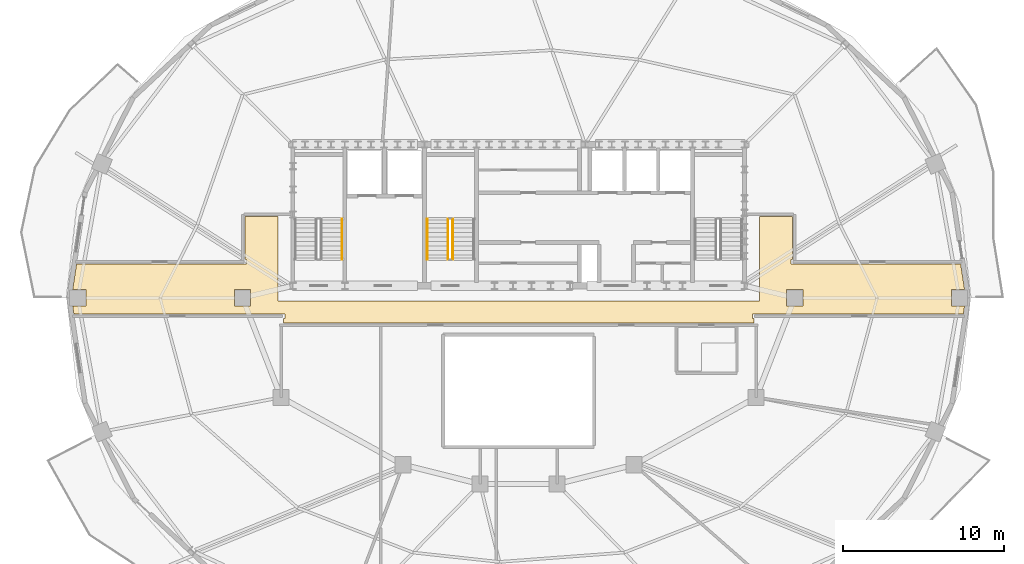
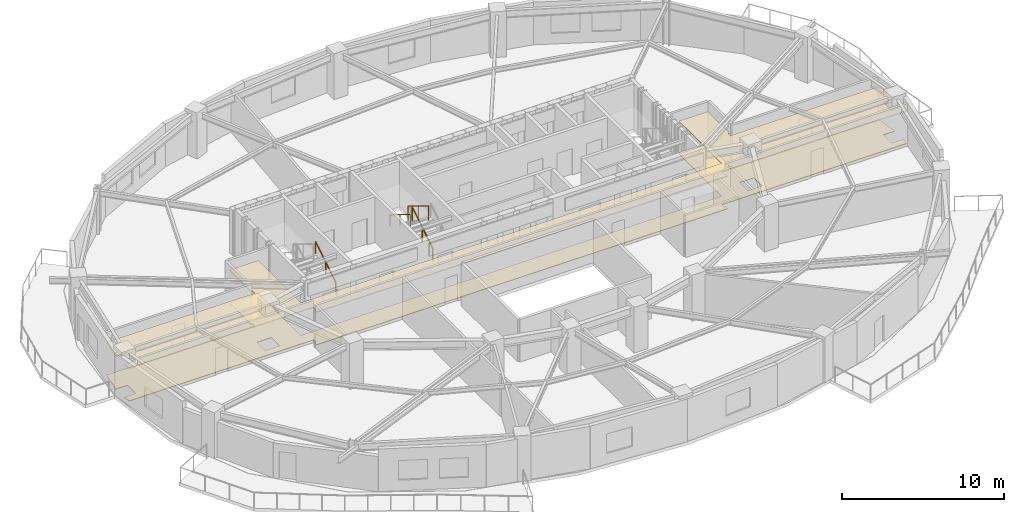
# One storey, part 9 of 11: 4 railings, 2 coverings.
"""IFC4 building model written with IfcOpenShell, lengths in metres."""

from ifc_helpers import new_model, si_unit, direction, frame, origin, origin_2d, place, context, subcontext, project, spatial, polyline, rectangle, outline, extrude, material, layer, layer_set, type_object, element, save


model = new_model("IFC4")

# Units and contexts
model_context = context("Model", 3, precision=1e-05, world=origin(), true_north=direction((0.0, 1.0)))
body_context = subcontext(model_context, "Body", "Model", "MODEL_VIEW")
ifc_project = project(units=[si_unit("LENGTHUNIT", "METRE"), si_unit("AREAUNIT", "SQUARE_METRE"), si_unit("VOLUMEUNIT", "CUBIC_METRE"), si_unit("PLANEANGLEUNIT", "RADIAN"), si_unit("MASSUNIT", "GRAM", prefix="KILO")], contexts=[model_context])

# Site, building, storey
site_placement = place(None, origin())
site = spatial("IfcSite", under=ifc_project, at=site_placement, CompositionType="ELEMENT")
building_placement = place(site_placement, origin())
building = spatial("IfcBuilding", under=site, at=building_placement, Name="Haldorwick Loom Tower", CompositionType="ELEMENT")
storey_placement = place(building_placement, frame((0.0, 0.0, 234.0)))
storey = spatial("IfcBuildingStorey", under=building, at=storey_placement, Name="L63", CompositionType="ELEMENT", Elevation=234.0)

# Coverings
ifc_material_1 = material(Name="Mineral Fibre Acoustic Ceiling Tile")
ifc_layer_1 = layer(ifc_material_1, 0.054931640625, Name="Mineral Fibre Acoustic Ceiling Tile")
ifc_layer_set_1 = layer_set([ifc_layer_1], Name="Mineral Fibre Acoustic Ceiling Tile")
covering_type_1 = type_object("IfcCoveringType", Name="ARC-COV-CEIL2", PredefinedType="CEILING", material=ifc_layer_set_1)
covering_1_placement = place(storey_placement, frame((0.0, 0.0, 2.458984375)))
element("IfcCovering", 1, at=covering_1_placement, inside=storey, type_object=covering_type_1, Name="L63 Acoustic Suspended Ceiling 1", PredefinedType="CEILING", context=body_context, shape_type="SweptSolid", body=[
    extrude(outline(polyline([(8.2939453125, 24.989990234375), (21.419921875, 24.989990234375), (21.422119140625, 24.989990234375), (21.423828125, 24.989501953125), (21.42578125, 24.989013671875), (21.427734375, 24.988525390625), (21.429443359375, 24.987548828125), (21.43115234375, 24.986572265625), (21.4326171875, 24.985595703125), (21.43408203125, 24.984130859375), (21.435546875, 24.982666015625), (21.4365234375, 24.981201171875), (21.4375, 24.9794921875), (21.4384765625, 24.977783203125), (21.439208984375, 24.975830078125), (21.439697265625, 24.973876953125), (21.43994140625, 24.971923828125), (21.43994140625, 24.969970703125), (21.43994140625, 24.72998046875), (21.43994140625, 24.72802734375), (21.439697265625, 24.72607421875), (21.439208984375, 24.72412109375), (21.4384765625, 24.722412109375), (21.4375, 24.720703125), (21.4365234375, 24.718994140625), (21.435546875, 24.71728515625), (21.43408203125, 24.7158203125), (21.4326171875, 24.714599609375), (21.43115234375, 24.71337890625), (21.429443359375, 24.71240234375), (21.427734375, 24.71142578125), (21.42578125, 24.7109375), (21.423828125, 24.71044921875), (21.422119140625, 24.710205078125), (21.419921875, 24.7099609375), (21.340087890625, 24.7099609375), (21.340087890625, 24.43994140625), (50.659912109375, 24.43994140625), (50.659912109375, 24.7099609375), (50.580078125, 24.7099609375), (50.577880859375, 24.710205078125), (50.576171875, 24.71044921875), (50.57421875, 24.7109375), (50.572265625, 24.71142578125), (50.570556640625, 24.71240234375), (50.56884765625, 24.71337890625), (50.5673828125, 24.714599609375), (50.56591796875, 24.7158203125), (50.564453125, 24.71728515625), (50.5634765625, 24.718994140625), (50.5625, 24.720703125), (50.5615234375, 24.722412109375), (50.560791015625, 24.72412109375), (50.560302734375, 24.72607421875), (50.56005859375, 24.72802734375), (50.56005859375, 24.72998046875), (50.56005859375, 24.969970703125), (50.56005859375, 24.971923828125), (50.560302734375, 24.973876953125), (50.560791015625, 24.975830078125), (50.5615234375, 24.977783203125), (50.5625, 24.9794921875), (50.5634765625, 24.981201171875), (50.564453125, 24.982666015625), (50.56591796875, 24.984130859375), (50.5673828125, 24.985595703125), (50.56884765625, 24.986572265625), (50.570556640625, 24.987548828125), (50.572265625, 24.988525390625), (50.57421875, 24.989013671875), (50.576171875, 24.989501953125), (50.577880859375, 24.989990234375), (50.580078125, 24.989990234375), (63.7060546875, 24.989990234375), (63.782470703125, 25.491943359375), (62.95849609375, 25.491943359375), (62.95849609375, 26.508056640625), (63.782470703125, 26.508056640625), (63.53857421875, 28.110107421875), (52.97998046875, 28.110107421875), (52.97802734375, 28.110107421875), (52.97607421875, 28.1103515625), (52.97412109375, 28.11083984375), (52.972412109375, 28.111572265625), (52.970703125, 28.1123046875), (52.968994140625, 28.11328125), (52.96728515625, 28.114501953125), (52.9658203125, 28.115966796875), (52.964599609375, 28.1171875), (52.96337890625, 28.118896484375), (52.96240234375, 28.12060546875), (52.96142578125, 28.122314453125), (52.9609375, 28.124267578125), (52.96044921875, 28.126220703125), (52.960205078125, 28.1279296875), (52.9599609375, 28.1298828125), (52.9599609375, 28.3701171875), (52.960205078125, 28.3720703125), (52.96044921875, 28.373779296875), (52.9609375, 28.375732421875), (52.96142578125, 28.377685546875), (52.96240234375, 28.37939453125), (52.96337890625, 28.381103515625), (52.964599609375, 28.3828125), (52.9658203125, 28.384033203125), (52.96728515625, 28.385498046875), (52.968994140625, 28.38671875), (52.970703125, 28.3876953125), (52.972412109375, 28.388427734375), (52.97412109375, 28.38916015625), (52.97607421875, 28.3896484375), (52.97802734375, 28.389892578125), (52.97998046875, 28.389892578125), (53.06005859375, 28.389892578125), (53.06005859375, 31.06005859375), (51.0, 31.06005859375), (51.0, 25.800048828125), (21.0, 25.800048828125), (21.0, 31.06005859375), (18.93994140625, 31.06005859375), (18.93994140625, 28.389892578125), (19.02001953125, 28.389892578125), (19.02197265625, 28.389892578125), (19.02392578125, 28.3896484375), (19.02587890625, 28.38916015625), (19.027587890625, 28.388427734375), (19.029296875, 28.3876953125), (19.031005859375, 28.38671875), (19.03271484375, 28.385498046875), (19.0341796875, 28.384033203125), (19.035400390625, 28.3828125), (19.03662109375, 28.381103515625), (19.03759765625, 28.37939453125), (19.03857421875, 28.377685546875), (19.0390625, 28.375732421875), (19.03955078125, 28.373779296875), (19.039794921875, 28.3720703125), (19.0400390625, 28.3701171875), (19.0400390625, 28.1298828125), (19.039794921875, 28.1279296875), (19.03955078125, 28.126220703125), (19.0390625, 28.124267578125), (19.03857421875, 28.122314453125), (19.03759765625, 28.12060546875), (19.03662109375, 28.118896484375), (19.035400390625, 28.1171875), (19.0341796875, 28.115966796875), (19.03271484375, 28.114501953125), (19.031005859375, 28.11328125), (19.029296875, 28.1123046875), (19.027587890625, 28.111572265625), (19.02587890625, 28.11083984375), (19.02392578125, 28.1103515625), (19.02197265625, 28.110107421875), (19.02001953125, 28.110107421875), (8.46142578125, 28.110107421875), (8.217529296875, 26.508056640625), (9.04150390625, 26.508056640625), (9.04150390625, 25.491943359375), (8.217529296875, 25.491943359375), (8.2939453125, 24.989990234375)]), holes=[polyline([(19.30810546875, 26.508056640625), (19.30810546875, 25.491943359375), (18.2919921875, 25.491943359375), (18.2919921875, 26.508056640625), (19.30810546875, 26.508056640625)]), polyline([(53.7080078125, 26.508056640625), (53.7080078125, 25.491943359375), (52.69189453125, 25.491943359375), (52.69189453125, 26.508056640625), (53.7080078125, 26.508056640625)])]), origin(), (0.0, 0.0, 1.0), 0.054931640625),
])
ifc_material_2 = material(Name="Polished Aggregate Terrazzo Finish")
ifc_layer_2 = layer(ifc_material_2, 0.044921875, Name="Polished Aggregate Terrazzo Finish")
ifc_layer_set_2 = layer_set([ifc_layer_2], Name="Polished Aggregate Terrazzo Finish")
covering_type_2 = type_object("IfcCoveringType", Name="ARC-COV-FLOOR2", PredefinedType="FLOORING", material=ifc_layer_set_2)
covering_2_placement = place(storey_placement, origin())
element("IfcCovering", 2, at=covering_2_placement, inside=storey, type_object=covering_type_2, Name="L63 Floor Finish 1", PredefinedType="FLOORING", context=body_context, shape_type="SweptSolid", body=[
    extrude(outline(polyline([(8.2939453125, 24.989990234375), (21.419921875, 24.989990234375), (21.422119140625, 24.989990234375), (21.423828125, 24.989501953125), (21.42578125, 24.989013671875), (21.427734375, 24.988525390625), (21.429443359375, 24.987548828125), (21.43115234375, 24.986572265625), (21.4326171875, 24.985595703125), (21.43408203125, 24.984130859375), (21.435546875, 24.982666015625), (21.4365234375, 24.981201171875), (21.4375, 24.9794921875), (21.4384765625, 24.977783203125), (21.439208984375, 24.975830078125), (21.439697265625, 24.973876953125), (21.43994140625, 24.971923828125), (21.43994140625, 24.969970703125), (21.43994140625, 24.72998046875), (21.43994140625, 24.72802734375), (21.439697265625, 24.72607421875), (21.439208984375, 24.72412109375), (21.4384765625, 24.722412109375), (21.4375, 24.720703125), (21.4365234375, 24.718994140625), (21.435546875, 24.71728515625), (21.43408203125, 24.7158203125), (21.4326171875, 24.714599609375), (21.43115234375, 24.71337890625), (21.429443359375, 24.71240234375), (21.427734375, 24.71142578125), (21.42578125, 24.7109375), (21.423828125, 24.71044921875), (21.422119140625, 24.710205078125), (21.419921875, 24.7099609375), (21.340087890625, 24.7099609375), (21.340087890625, 24.43994140625), (50.659912109375, 24.43994140625), (50.659912109375, 24.7099609375), (50.580078125, 24.7099609375), (50.577880859375, 24.710205078125), (50.576171875, 24.71044921875), (50.57421875, 24.7109375), (50.572265625, 24.71142578125), (50.570556640625, 24.71240234375), (50.56884765625, 24.71337890625), (50.5673828125, 24.714599609375), (50.56591796875, 24.7158203125), (50.564453125, 24.71728515625), (50.5634765625, 24.718994140625), (50.5625, 24.720703125), (50.5615234375, 24.722412109375), (50.560791015625, 24.72412109375), (50.560302734375, 24.72607421875), (50.56005859375, 24.72802734375), (50.56005859375, 24.72998046875), (50.56005859375, 24.969970703125), (50.56005859375, 24.971923828125), (50.560302734375, 24.973876953125), (50.560791015625, 24.975830078125), (50.5615234375, 24.977783203125), (50.5625, 24.9794921875), (50.5634765625, 24.981201171875), (50.564453125, 24.982666015625), (50.56591796875, 24.984130859375), (50.5673828125, 24.985595703125), (50.56884765625, 24.986572265625), (50.570556640625, 24.987548828125), (50.572265625, 24.988525390625), (50.57421875, 24.989013671875), (50.576171875, 24.989501953125), (50.577880859375, 24.989990234375), (50.580078125, 24.989990234375), (63.7060546875, 24.989990234375), (63.782470703125, 25.491943359375), (62.95849609375, 25.491943359375), (62.95849609375, 26.508056640625), (63.782470703125, 26.508056640625), (63.53857421875, 28.110107421875), (52.97998046875, 28.110107421875), (52.97802734375, 28.110107421875), (52.97607421875, 28.1103515625), (52.97412109375, 28.11083984375), (52.972412109375, 28.111572265625), (52.970703125, 28.1123046875), (52.968994140625, 28.11328125), (52.96728515625, 28.114501953125), (52.9658203125, 28.115966796875), (52.964599609375, 28.1171875), (52.96337890625, 28.118896484375), (52.96240234375, 28.12060546875), (52.96142578125, 28.122314453125), (52.9609375, 28.124267578125), (52.96044921875, 28.126220703125), (52.960205078125, 28.1279296875), (52.9599609375, 28.1298828125), (52.9599609375, 28.3701171875), (52.960205078125, 28.3720703125), (52.96044921875, 28.373779296875), (52.9609375, 28.375732421875), (52.96142578125, 28.377685546875), (52.96240234375, 28.37939453125), (52.96337890625, 28.381103515625), (52.964599609375, 28.3828125), (52.9658203125, 28.384033203125), (52.96728515625, 28.385498046875), (52.968994140625, 28.38671875), (52.970703125, 28.3876953125), (52.972412109375, 28.388427734375), (52.97412109375, 28.38916015625), (52.97607421875, 28.3896484375), (52.97802734375, 28.389892578125), (52.97998046875, 28.389892578125), (53.06005859375, 28.389892578125), (53.06005859375, 31.06005859375), (51.0, 31.06005859375), (51.0, 25.800048828125), (21.0, 25.800048828125), (21.0, 31.06005859375), (18.93994140625, 31.06005859375), (18.93994140625, 28.389892578125), (19.02001953125, 28.389892578125), (19.02197265625, 28.389892578125), (19.02392578125, 28.3896484375), (19.02587890625, 28.38916015625), (19.027587890625, 28.388427734375), (19.029296875, 28.3876953125), (19.031005859375, 28.38671875), (19.03271484375, 28.385498046875), (19.0341796875, 28.384033203125), (19.035400390625, 28.3828125), (19.03662109375, 28.381103515625), (19.03759765625, 28.37939453125), (19.03857421875, 28.377685546875), (19.0390625, 28.375732421875), (19.03955078125, 28.373779296875), (19.039794921875, 28.3720703125), (19.0400390625, 28.3701171875), (19.0400390625, 28.1298828125), (19.039794921875, 28.1279296875), (19.03955078125, 28.126220703125), (19.0390625, 28.124267578125), (19.03857421875, 28.122314453125), (19.03759765625, 28.12060546875), (19.03662109375, 28.118896484375), (19.035400390625, 28.1171875), (19.0341796875, 28.115966796875), (19.03271484375, 28.114501953125), (19.031005859375, 28.11328125), (19.029296875, 28.1123046875), (19.027587890625, 28.111572265625), (19.02587890625, 28.11083984375), (19.02392578125, 28.1103515625), (19.02197265625, 28.110107421875), (19.02001953125, 28.110107421875), (8.46142578125, 28.110107421875), (8.217529296875, 26.508056640625), (9.04150390625, 26.508056640625), (9.04150390625, 25.491943359375), (8.217529296875, 25.491943359375), (8.2939453125, 24.989990234375)]), holes=[polyline([(19.30810546875, 26.508056640625), (19.30810546875, 25.491943359375), (18.2919921875, 25.491943359375), (18.2919921875, 26.508056640625), (19.30810546875, 26.508056640625)]), polyline([(53.7080078125, 26.508056640625), (53.7080078125, 25.491943359375), (52.69189453125, 25.491943359375), (52.69189453125, 26.508056640625), (53.7080078125, 26.508056640625)])]), origin(), (0.0, 0.0, 1.0), 0.044921875),
])

# Railings
ifc_material_3 = material(Name="Steel CSA G40.21 350W", Category="steel")
railing_type_1 = type_object("IfcRailingType", Name="ARC-RLG-GUARD112", PredefinedType="GUARDRAIL", material=ifc_material_3)
railing_1_placement = place(storey_placement, frame((31.89990234375, 28.39990234375, 0.172607421875)))
element("IfcRailing", 3, at=railing_1_placement, inside=storey, type_object=railing_type_1, Name="L63 ST-03 stair guard 1", PredefinedType="GUARDRAIL", context=body_context, shape_type="SweptSolid", body=[
    extrude(rectangle(XDim=0.048095703125, YDim=0.048095703125, at=origin_2d()), frame((0.0, 0.0, 1.076171875), z_axis=(0.0, 0.851400495292, 0.524516154772), x_axis=(-1.0, 0.0, 0.0)), (0.0, 0.0, 1.0), 2.9599609375),
    extrude(rectangle(XDim=0.0419921875, YDim=0.0419921875, at=origin_2d()), origin(), (0.0, 0.0, 1.0), 1.052001953125),
    extrude(rectangle(XDim=0.0419921875, YDim=0.0419921875, at=origin_2d()), frame((0.0, 1.260009765625, 0.7763671875)), (0.0, 0.0, 1.0), 1.052001953125),
    extrude(rectangle(XDim=0.0419921875, YDim=0.0419921875, at=origin_2d()), frame((0.0, 2.52001953125, 1.552490234375)), (0.0, 0.0, 1.0), 1.052001953125),
])
railing_2_placement = place(storey_placement, frame((31.60009765625, 30.919921875, 1.8974609375)))
element("IfcRailing", 4, at=railing_2_placement, inside=storey, type_object=railing_type_1, Name="L63 ST-03 stair guard 3", PredefinedType="GUARDRAIL", context=body_context, shape_type="SweptSolid", body=[
    extrude(rectangle(XDim=0.048095703125, YDim=0.048095703125, at=origin_2d()), frame((0.0, 0.0, 1.076171875), z_axis=(0.0, -0.851400495292, 0.524516154772), x_axis=(1.0, 0.0, 0.0)), (0.0, 0.0, 1.0), 2.9599609375),
    extrude(rectangle(XDim=0.0419921875, YDim=0.0419921875, at=origin_2d()), origin(), (0.0, 0.0, 1.0), 1.052001953125),
    extrude(rectangle(XDim=0.0419921875, YDim=0.0419921875, at=origin_2d()), frame((0.0, -1.260009765625, 0.7763671875)), (0.0, 0.0, 1.0), 1.052001953125),
    extrude(rectangle(XDim=0.0419921875, YDim=0.0419921875, at=origin_2d()), frame((0.0, -2.52001953125, 1.552490234375)), (0.0, 0.0, 1.0), 1.052001953125),
])
railing_type_2 = type_object("IfcRailingType", Name="ARC-RLG-HAND092", PredefinedType="HANDRAIL", material=ifc_material_3)
railing_3_placement = place(storey_placement, frame((25.0, 28.39990234375, 0.172607421875)))
element("IfcRailing", 5, at=railing_3_placement, inside=storey, type_object=railing_type_2, Name="L63 ST-01 stair handrail 1", PredefinedType="HANDRAIL", context=body_context, shape_type="SweptSolid", body=[
    extrude(rectangle(XDim=0.048095703125, YDim=0.048095703125, at=origin_2d()), frame((0.0, 0.0, 0.8759765625), z_axis=(0.0, 0.851400495292, 0.524516154772), x_axis=(-1.0, 0.0, 0.0)), (0.0, 0.0, 1.0), 2.9599609375),
    extrude(rectangle(XDim=0.0419921875, YDim=0.0419921875, at=origin_2d()), origin(), (0.0, 0.0, 1.0), 0.851806640625),
    extrude(rectangle(XDim=0.0419921875, YDim=0.0419921875, at=origin_2d()), frame((0.0, 1.260009765625, 0.7763671875)), (0.0, 0.0, 1.0), 0.851806640625),
    extrude(rectangle(XDim=0.0419921875, YDim=0.0419921875, at=origin_2d()), frame((0.0, 2.52001953125, 1.552490234375)), (0.0, 0.0, 1.0), 0.851806640625),
])
railing_4_placement = place(storey_placement, frame((30.300048828125, 30.919921875, 1.8974609375)))
element("IfcRailing", 6, at=railing_4_placement, inside=storey, type_object=railing_type_2, Name="L63 ST-03 stair handrail 2", PredefinedType="HANDRAIL", context=body_context, shape_type="SweptSolid", body=[
    extrude(rectangle(XDim=0.048095703125, YDim=0.048095703125, at=origin_2d()), frame((0.0, 0.0, 0.8759765625), z_axis=(0.0, -0.851400495292, 0.524516154772), x_axis=(1.0, 0.0, 0.0)), (0.0, 0.0, 1.0), 2.9599609375),
    extrude(rectangle(XDim=0.0419921875, YDim=0.0419921875, at=origin_2d()), origin(), (0.0, 0.0, 1.0), 0.851806640625),
    extrude(rectangle(XDim=0.0419921875, YDim=0.0419921875, at=origin_2d()), frame((0.0, -1.260009765625, 0.7763671875)), (0.0, 0.0, 1.0), 0.851806640625),
    extrude(rectangle(XDim=0.0419921875, YDim=0.0419921875, at=origin_2d()), frame((0.0, -2.52001953125, 1.552490234375)), (0.0, 0.0, 1.0), 0.851806640625),
])

save(model, "model.ifc")
